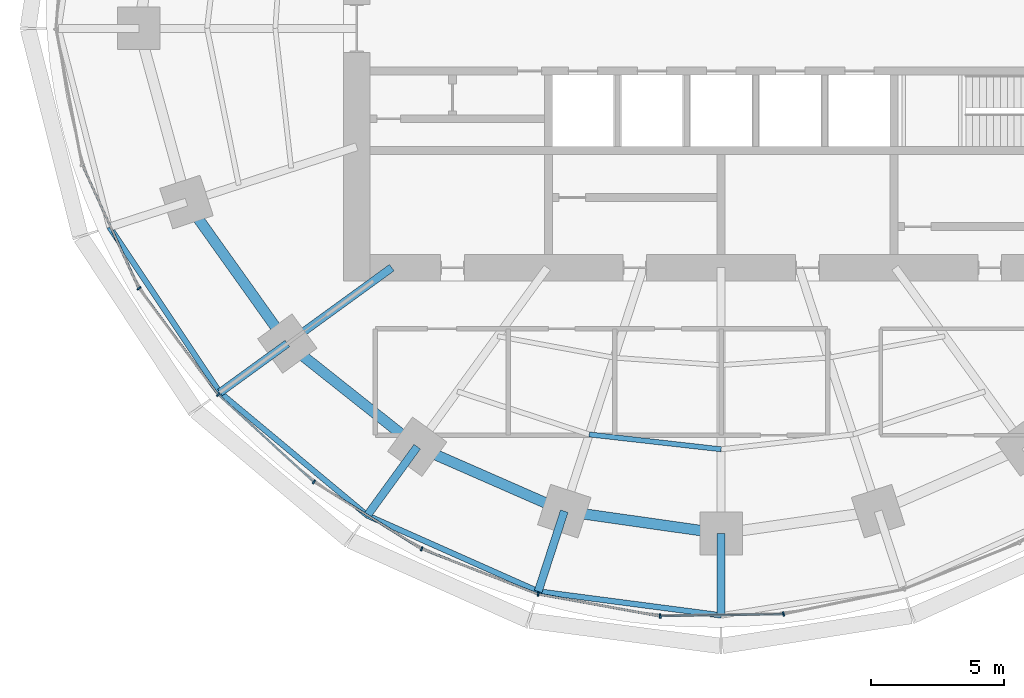
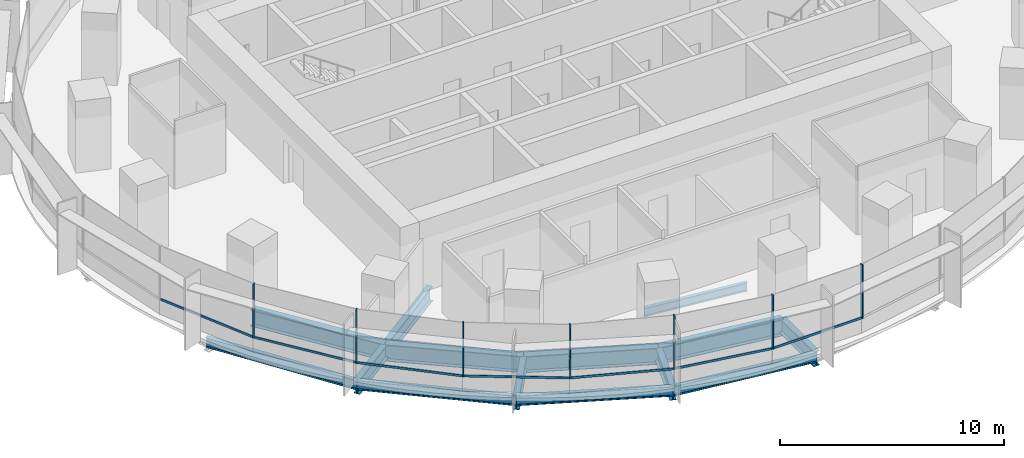
# One storey, part 2 of 14: 14 beams, 14 members, 2 elements without a shape of their own.
"""IFC4 building model written with IfcOpenShell, lengths in metres."""

from ifc_helpers import new_model, si_unit, direction, frame, origin, origin_2d, place, context, subcontext, project, spatial, rectangle, i_section, extrude, material, material_profile, profile_set, type_object, element, aggregate, save


model = new_model("IFC4")

# Units and contexts
model_context = context("Model", 3, precision=1e-05, world=origin(), true_north=direction((0.0, 1.0)))
body_context = subcontext(model_context, "Body", "Model", "MODEL_VIEW")
ifc_project = project(units=[si_unit("LENGTHUNIT", "METRE"), si_unit("AREAUNIT", "SQUARE_METRE"), si_unit("VOLUMEUNIT", "CUBIC_METRE"), si_unit("PLANEANGLEUNIT", "RADIAN"), si_unit("MASSUNIT", "GRAM", prefix="KILO")], contexts=[model_context])

# Site, building, storey
site_placement = place(None, origin())
site = spatial("IfcSite", under=ifc_project, at=site_placement, CompositionType="ELEMENT")
building_placement = place(site_placement, origin())
building = spatial("IfcBuilding", under=site, at=building_placement, Name="Marramba Exchange Tower", CompositionType="ELEMENT")
storey_placement = place(building_placement, frame((0.0, 0.0, 139.199951171875)))
storey = spatial("IfcBuildingStorey", under=building, at=storey_placement, Name="L33", CompositionType="ELEMENT", Elevation=139.199951171875)

# Beams
ifc_material_1 = material(Name="Steel AS/NZS 3679.2 grade 300", Category="steel")
ifc_material_profile_1 = material_profile(ifc_material_1, i_section(OverallWidth=0.300048828125, OverallDepth=0.800048828125, WebThickness=0.013916015625, FlangeThickness=0.031982421875, at=origin_2d()), Name="800WB192")
ifc_profile_set_1 = profile_set([ifc_material_profile_1], Name="Steel AS/NZS 3679.2 grade 300")
beam_type_1 = type_object("IfcBeamType", Name="Cantilever girder 800WB192", PredefinedType="BEAM", material=ifc_profile_set_1)
beam_1_placement = place(storey_placement, frame((-16.3154296875, -11.853759765625, -0.56005859375), z_axis=(-0.809025813822, -0.587773113173, 0.0), x_axis=(0.587773113173, -0.809025813822, 0.0)))
element("IfcBeam", 1, at=beam_1_placement, inside=storey, type_object=beam_type_1, Name="Cantilever girder L33 TC13", PredefinedType="BEAM", context=body_context, shape_type="SweptSolid", body=[
    extrude(i_section(OverallWidth=0.300048828125, OverallDepth=0.800048828125, WebThickness=0.013916015625, FlangeThickness=0.031982421875, at=origin_2d()), origin(), (0.0, 0.0, 1.0), 3.132568359375),
])
beam_2_placement = place(storey_placement, frame((-11.430419921875, -15.732666015625, -0.56005859375), z_axis=(-0.587767308424, -0.809030031054, 0.0), x_axis=(0.809030031054, -0.587767308424, 0.0)))
element("IfcBeam", 2, at=beam_2_placement, inside=storey, type_object=beam_type_1, Name="Cantilever girder L33 TC14", PredefinedType="BEAM", context=body_context, shape_type="SweptSolid", body=[
    extrude(i_section(OverallWidth=0.300048828125, OverallDepth=0.800048828125, WebThickness=0.013916015625, FlangeThickness=0.031982421875, at=origin_2d()), origin(), (0.0, 0.0, 1.0), 3.195556640625),
])
beam_3_placement = place(storey_placement, frame((-5.899658203125, -18.156982421875, -0.56005859375), z_axis=(-0.309018232614, -0.951056113966, 0.0), x_axis=(0.951056113966, -0.309018232614, 0.0)))
element("IfcBeam", 3, at=beam_3_placement, inside=storey, type_object=beam_type_1, Name="Cantilever girder L33 TC15", PredefinedType="BEAM", context=body_context, shape_type="SweptSolid", body=[
    extrude(i_section(OverallWidth=0.300048828125, OverallDepth=0.800048828125, WebThickness=0.013916015625, FlangeThickness=0.031982421875, at=origin_2d()), origin(), (0.0, 0.0, 1.0), 3.173583984375),
])
beam_4_placement = place(storey_placement, frame((0.0, -18.99609375, -0.56005859375), z_axis=(0.0, -1.0, 0.0), x_axis=(1.0, 0.0, 0.0)))
element("IfcBeam", 4, at=beam_4_placement, inside=storey, type_object=beam_type_1, Name="Cantilever girder L33 TC16", PredefinedType="BEAM", context=body_context, shape_type="SweptSolid", body=[
    extrude(i_section(OverallWidth=0.300048828125, OverallDepth=0.800048828125, WebThickness=0.013916015625, FlangeThickness=0.031982421875, at=origin_2d()), origin(), (0.0, 0.0, 1.0), 3.080810546875),
])
ifc_material_2 = material(Name="Steel AS/NZS 3679.1 grade 300", Category="steel")
ifc_material_profile_2 = material_profile(ifc_material_2, i_section(OverallWidth=0.18994140625, OverallDepth=0.4541015625, WebThickness=0.008544921875, FlangeThickness=0.0126953125, FilletRadius=0.011474609375, at=origin_2d()), Name="460UB67.1")
ifc_profile_set_2 = profile_set([ifc_material_profile_2], Name="Steel AS/NZS 3679.1 grade 300")
beam_type_2 = type_object("IfcBeamType", Name="Floor joist 460UB67.1", PredefinedType="JOIST", material=ifc_profile_set_2)
beam_5_placement = place(storey_placement, frame((-4.9619140625, -15.271484375, -0.386962890625), z_axis=(0.993712018573, -0.111966174106, 0.0), x_axis=(0.111966174106, 0.993712018573, 0.0)))
element("IfcBeam", 5, at=beam_5_placement, inside=storey, type_object=beam_type_2, Name="Joist L33 bay 15 row 2", PredefinedType="JOIST", context=body_context, shape_type="SweptSolid", body=[
    extrude(i_section(OverallWidth=0.18994140625, OverallDepth=0.4541015625, WebThickness=0.008544921875, FlangeThickness=0.0126953125, FilletRadius=0.011474609375, at=origin_2d()), origin(), (0.0, 0.0, 1.0), 4.993408203125),
])

# Curtain wall, members
ifc_material_3 = material(Name="Aluminium framing, bronze anodised", Category="aluminium")
curtain_wall_type = type_object("IfcCurtainWallType", Name="Office ribbon curtain wall", PredefinedType="USERDEFINED", material=ifc_material_3)
curtain_wall_1_placement = place(storey_placement, origin())
curtain_wall_1 = element("IfcCurtainWall", 6, at=curtain_wall_1_placement, inside=storey, type_object=curtain_wall_type, Name="Curtain wall CW4 L33 F16-F20", ObjectType="RIBBON CURTAIN WALL", PredefinedType="USERDEFINED")
ifc_material_4 = material(Name="Aluminium mullion, bronze anodised", Category="aluminium")
ifc_material_profile_3 = material_profile(ifc_material_4, rectangle(XDim=0.159912109375, YDim=0.06005859375, at=origin_2d()), Name="CW4 mullion 60x160")
ifc_profile_set_3 = profile_set([ifc_material_profile_3], Name="Aluminium mullion, bronze anodised")
member_type_1 = type_object("IfcMemberType", Name="Office ribbon curtain wall mullion", PredefinedType="MULLION", material=ifc_profile_set_3)
member_1_placement = place(storey_placement, frame((-21.891357421875, -9.778564453125, 0.800048828125), z_axis=(0.0, 0.0, 1.0), x_axis=(0.802014400683, 0.597304697033, 0.0)))
member_1 = element("IfcMember", 7, at=member_1_placement, type_object=member_type_1, Name="CW4 mullion 1", PredefinedType="MULLION", context=body_context, shape_type="SweptSolid", body=[
    extrude(rectangle(XDim=0.159912109375, YDim=0.06005859375, at=origin_2d()), origin(), (0.0, 0.0, 1.0), 2.93994140625),
])
member_2_placement = place(storey_placement, frame((-18.90869140625, -13.774169921875, 0.800048828125), z_axis=(0.0, 0.0, 1.0), x_axis=(0.674995455115, 0.737821886077, 0.0)))
member_2 = element("IfcMember", 8, at=member_2_placement, type_object=member_type_1, Name="CW4 mullion 1", PredefinedType="MULLION", context=body_context, shape_type="SweptSolid", body=[
    extrude(rectangle(XDim=0.159912109375, YDim=0.06005859375, at=origin_2d()), origin(), (0.0, 0.0, 1.0), 2.93994140625),
])
member_3_placement = place(storey_placement, frame((-15.315673828125, -17.053955078125, 0.800048828125), z_axis=(0.0, 0.0, 1.0), x_axis=(0.52942844364, 0.84835459748, 0.0)))
member_3 = element("IfcMember", 9, at=member_3_placement, type_object=member_type_1, Name="CW4 mullion 1", PredefinedType="MULLION", context=body_context, shape_type="SweptSolid", body=[
    extrude(rectangle(XDim=0.159912109375, YDim=0.06005859375, at=origin_2d()), origin(), (0.0, 0.0, 1.0), 2.93994140625),
])

curtain_wall_2_placement = place(storey_placement, origin())
curtain_wall_2 = element("IfcCurtainWall", 10, at=curtain_wall_2_placement, inside=storey, type_object=curtain_wall_type, Name="Curtain wall CW4 L33 F21-F25", ObjectType="RIBBON CURTAIN WALL", PredefinedType="USERDEFINED")
member_4_placement = place(storey_placement, frame((-11.266845703125, -19.573974609375, 0.800048828125), z_axis=(0.0, 0.0, 1.0), x_axis=(0.36292490603, 0.931818390344, 0.0)))
member_4 = element("IfcMember", 11, at=member_4_placement, type_object=member_type_1, Name="CW4 mullion 1", PredefinedType="MULLION", context=body_context, shape_type="SweptSolid", body=[
    extrude(rectangle(XDim=0.159912109375, YDim=0.06005859375, at=origin_2d()), origin(), (0.0, 0.0, 1.0), 2.93994140625),
])
member_5_placement = place(storey_placement, frame((-6.881591796875, -21.27587890625, 0.800048828125), z_axis=(0.0, 0.0, 1.0), x_axis=(0.177992379115, 0.984031865834, 0.0)))
member_5 = element("IfcMember", 12, at=member_5_placement, type_object=member_type_1, Name="CW4 mullion 1", PredefinedType="MULLION", context=body_context, shape_type="SweptSolid", body=[
    extrude(rectangle(XDim=0.159912109375, YDim=0.06005859375, at=origin_2d()), origin(), (0.0, 0.0, 1.0), 2.93994140625),
])
member_6_placement = place(storey_placement, frame((-2.292724609375, -22.099853515625, 0.800048828125), z_axis=(0.0, 0.0, 1.0), x_axis=(-0.015178646521, 0.999884797709, 0.0)))
member_6 = element("IfcMember", 13, at=member_6_placement, type_object=member_type_1, Name="CW4 mullion 1", PredefinedType="MULLION", context=body_context, shape_type="SweptSolid", body=[
    extrude(rectangle(XDim=0.159912109375, YDim=0.06005859375, at=origin_2d()), origin(), (0.0, 0.0, 1.0), 2.93994140625),
])
member_7_placement = place(storey_placement, frame((2.3447265625, -22.02392578125, 0.800048828125), z_axis=(0.0, 0.0, 1.0), x_axis=(-0.202364850159, 0.979310199794, 0.0)))
member_7 = element("IfcMember", 14, at=member_7_placement, type_object=member_type_1, Name="CW4 mullion 1", PredefinedType="MULLION", context=body_context, shape_type="SweptSolid", body=[
    extrude(rectangle(XDim=0.159912109375, YDim=0.06005859375, at=origin_2d()), origin(), (0.0, 0.0, 1.0), 2.93994140625),
])

# Member
ifc_material_5 = material(Name="Aluminium transom, bronze anodised", Category="aluminium")
ifc_material_profile_4 = material_profile(ifc_material_5, rectangle(XDim=0.06005859375, YDim=0.1201171875, at=origin_2d()), Name="CW4 transom 60x120")
ifc_profile_set_4 = profile_set([ifc_material_profile_4], Name="Aluminium transom, bronze anodised")
member_type_2 = type_object("IfcMemberType", Name="Office ribbon curtain wall transom", PredefinedType="USERDEFINED", material=ifc_profile_set_4)
member_8_placement = place(storey_placement, frame((-24.013671875, -5.1640625, 0.830078125), z_axis=(0.416732948599, -0.909028959688, 0.0), x_axis=(0.909028959688, 0.416732948599, 0.0)))
member_8 = element("IfcMember", 15, at=member_8_placement, type_object=member_type_2, Name="CW4 sill transom", ObjectType="TRANSOM", PredefinedType="USERDEFINED", context=body_context, shape_type="SweptSolid", body=[
    extrude(rectangle(XDim=0.06005859375, YDim=0.1201171875, at=origin_2d()), origin(), (0.0, 0.0, 1.0), 5.050048828125),
])

member_9_placement = place(storey_placement, frame((-21.873291015625, -9.802734375, 0.830078125), z_axis=(0.597300736643, -0.80201735019, 0.0), x_axis=(0.80201735019, 0.597300736643, 0.0)))
member_9 = element("IfcMember", 16, at=member_9_placement, type_object=member_type_2, Name="CW4 sill transom", ObjectType="TRANSOM", PredefinedType="USERDEFINED", context=body_context, shape_type="SweptSolid", body=[
    extrude(rectangle(XDim=0.06005859375, YDim=0.1201171875, at=origin_2d()), origin(), (0.0, 0.0, 1.0), 4.926513671875),
])

member_10_placement = place(storey_placement, frame((-18.886474609375, -13.79443359375, 0.830078125), z_axis=(0.737807565469, -0.675011108306, 0.0), x_axis=(0.675011108306, 0.737807565469, 0.0)))
member_10 = element("IfcMember", 17, at=member_10_placement, type_object=member_type_2, Name="CW4 sill transom", ObjectType="TRANSOM", PredefinedType="USERDEFINED", context=body_context, shape_type="SweptSolid", body=[
    extrude(rectangle(XDim=0.06005859375, YDim=0.1201171875, at=origin_2d()), origin(), (0.0, 0.0, 1.0), 4.805419921875),
])

member_11_placement = place(storey_placement, frame((-15.2900390625, -17.06982421875, 0.830078125), z_axis=(0.848373790728, -0.529397687193, 0.0), x_axis=(0.529397687193, 0.848373790728, 0.0)))
member_11 = element("IfcMember", 18, at=member_11_placement, type_object=member_type_2, Name="CW4 sill transom", ObjectType="TRANSOM", PredefinedType="USERDEFINED", context=body_context, shape_type="SweptSolid", body=[
    extrude(rectangle(XDim=0.06005859375, YDim=0.1201171875, at=origin_2d()), origin(), (0.0, 0.0, 1.0), 4.70947265625),
])

aggregate(curtain_wall_1, [member_8, member_1, member_9, member_2, member_10, member_3, member_11])

member_12_placement = place(storey_placement, frame((-11.23876953125, -19.5849609375, 0.830078125), z_axis=(0.931817106708, -0.362928201778, 0.0), x_axis=(0.362928201778, 0.931817106708, 0.0)))
member_12 = element("IfcMember", 19, at=member_12_placement, type_object=member_type_2, Name="CW4 sill transom", ObjectType="TRANSOM", PredefinedType="USERDEFINED", context=body_context, shape_type="SweptSolid", body=[
    extrude(rectangle(XDim=0.06005859375, YDim=0.1201171875, at=origin_2d()), origin(), (0.0, 0.0, 1.0), 4.644287109375),
])

member_13_placement = place(storey_placement, frame((-6.85205078125, -21.281005859375, 0.830078125), z_axis=(0.98402906811, -0.178007845654, 0.0), x_axis=(0.178007845654, 0.98402906811, 0.0)))
member_13 = element("IfcMember", 20, at=member_13_placement, type_object=member_type_2, Name="CW4 sill transom", ObjectType="TRANSOM", PredefinedType="USERDEFINED", context=body_context, shape_type="SweptSolid", body=[
    extrude(rectangle(XDim=0.06005859375, YDim=0.1201171875, at=origin_2d()), origin(), (0.0, 0.0, 1.0), 4.602783203125),
])

member_14_placement = place(storey_placement, frame((-2.262939453125, -22.099365234375, 0.830078125), z_axis=(0.999885345665, 0.015142507235, 0.0), x_axis=(-0.015142507235, 0.999885345665, 0.0)))
member_14 = element("IfcMember", 21, at=member_14_placement, type_object=member_type_2, Name="CW4 sill transom", ObjectType="TRANSOM", PredefinedType="USERDEFINED", context=body_context, shape_type="SweptSolid", body=[
    extrude(rectangle(XDim=0.06005859375, YDim=0.1201171875, at=origin_2d()), origin(), (0.0, 0.0, 1.0), 4.578857421875),
])

aggregate(curtain_wall_2, [member_4, member_12, member_5, member_13, member_6, member_14, member_7])

# Beams
ifc_material_profile_5 = material_profile(ifc_material_1, i_section(OverallWidth=0.300048828125, OverallDepth=0.800048828125, WebThickness=0.013916015625, FlangeThickness=0.031982421875, at=origin_2d()), Name="800WB192")
ifc_profile_set_5 = profile_set([ifc_material_profile_5], Name="Steel AS/NZS 3679.2 grade 300")
beam_type_3 = type_object("IfcBeamType", Name="Radial girder 800WB192", PredefinedType="BEAM", material=ifc_profile_set_5)
beam_6_placement = place(storey_placement, frame((-12.387451171875, -9.0, -0.56005859375), z_axis=(-0.809025189606, -0.58777397236, 0.0), x_axis=(0.58777397236, -0.809025189606, 0.0)))
element("IfcBeam", 22, at=beam_6_placement, inside=storey, type_object=beam_type_3, Name="Radial girder L33 TC13", PredefinedType="BEAM", context=body_context, shape_type="SweptSolid", body=[
    extrude(i_section(OverallWidth=0.300048828125, OverallDepth=0.800048828125, WebThickness=0.013916015625, FlangeThickness=0.031982421875, at=origin_2d()), origin(), (0.0, 0.0, 1.0), 4.855224609375),
])
ifc_material_profile_6 = material_profile(ifc_material_1, i_section(OverallWidth=0.39990234375, OverallDepth=0.89990234375, WebThickness=0.01611328125, FlangeThickness=0.031982421875, at=origin_2d()), Name="900WB282")
ifc_profile_set_6 = profile_set([ifc_material_profile_6], Name="Steel AS/NZS 3679.2 grade 300")
beam_type_4 = type_object("IfcBeamType", Name="Ring beam 900WB282", PredefinedType="SPANDREL", material=ifc_profile_set_6)
beam_7_placement = place(storey_placement, frame((-20.109375, -6.533935546875, -0.60986328125), z_axis=(0.580637181111, -0.814162430914, 0.0), x_axis=(0.814162430914, 0.580637181111, 0.0)))
element("IfcBeam", 23, at=beam_7_placement, inside=storey, type_object=beam_type_4, Name="Ring beam L33 TC12-TC13", PredefinedType="SPANDREL", context=body_context, shape_type="SweptSolid", body=[
    extrude(i_section(OverallWidth=0.39990234375, OverallDepth=0.89990234375, WebThickness=0.01611328125, FlangeThickness=0.031982421875, at=origin_2d()), origin(), (0.0, 0.0, 1.0), 6.5341796875),
])
beam_8_placement = place(storey_placement, frame((-16.3154296875, -11.853759765625, -0.60986328125), z_axis=(0.783139438128, -0.621846138887, 0.0), x_axis=(0.621846138887, 0.783139438128, 0.0)))
element("IfcBeam", 24, at=beam_8_placement, inside=storey, type_object=beam_type_4, Name="Ring beam L33 TC13-TC14", PredefinedType="SPANDREL", context=body_context, shape_type="SweptSolid", body=[
    extrude(i_section(OverallWidth=0.39990234375, OverallDepth=0.89990234375, WebThickness=0.01611328125, FlangeThickness=0.031982421875, at=origin_2d()), origin(), (0.0, 0.0, 1.0), 6.23779296875),
])
beam_9_placement = place(storey_placement, frame((-11.430419921875, -15.732666015625, -0.60986328125), z_axis=(0.915876892158, -0.4014592363, 0.0), x_axis=(0.4014592363, 0.915876892158, 0.0)))
element("IfcBeam", 25, at=beam_9_placement, inside=storey, type_object=beam_type_4, Name="Ring beam L33 TC14-TC15", PredefinedType="SPANDREL", context=body_context, shape_type="SweptSolid", body=[
    extrude(i_section(OverallWidth=0.39990234375, OverallDepth=0.89990234375, WebThickness=0.01611328125, FlangeThickness=0.031982421875, at=origin_2d()), origin(), (0.0, 0.0, 1.0), 6.038818359375),
])
beam_10_placement = place(storey_placement, frame((-5.899658203125, -18.156982421875, -0.60986328125), z_axis=(0.990036163016, -0.140813337152, 0.0), x_axis=(0.140813337152, 0.990036163016, 0.0)))
element("IfcBeam", 26, at=beam_10_placement, inside=storey, type_object=beam_type_4, Name="Ring beam L33 TC15-TC16", PredefinedType="SPANDREL", context=body_context, shape_type="SweptSolid", body=[
    extrude(i_section(OverallWidth=0.39990234375, OverallDepth=0.89990234375, WebThickness=0.01611328125, FlangeThickness=0.031982421875, at=origin_2d()), origin(), (0.0, 0.0, 1.0), 5.958984375),
])
ifc_material_profile_7 = material_profile(ifc_material_2, i_section(OverallWidth=0.208984375, OverallDepth=0.528076171875, WebThickness=0.009521484375, FlangeThickness=0.01318359375, FilletRadius=0.013916015625, at=origin_2d()), Name="530UB82.0")
ifc_profile_set_7 = profile_set([ifc_material_profile_7], Name="Steel AS/NZS 3679.1 grade 300")
beam_type_5 = type_object("IfcBeamType", Name="Slab edge beam 530UB82.0", PredefinedType="SPANDREL", material=ifc_profile_set_7)
beam_11_placement = place(storey_placement, frame((-23.00341796875, -7.47412109375, -0.424072265625), z_axis=(0.555280023791, -0.831663450669, 0.0), x_axis=(0.831663450669, 0.555280023791, 0.0)))
element("IfcBeam", 27, at=beam_11_placement, inside=storey, type_object=beam_type_5, Name="Slab edge beam L33 TC12-TC13", PredefinedType="SPANDREL", context=body_context, shape_type="SweptSolid", body=[
    extrude(i_section(OverallWidth=0.208984375, OverallDepth=0.528076171875, WebThickness=0.009521484375, FlangeThickness=0.01318359375, FilletRadius=0.013916015625, at=origin_2d()), origin(), (0.0, 0.0, 1.0), 7.480224609375),
])
beam_12_placement = place(storey_placement, frame((-18.849853515625, -13.695068359375, -0.424072265625), z_axis=(0.767874532322, -0.640600267415, 0.0), x_axis=(0.640600267415, 0.767874532322, 0.0)))
element("IfcBeam", 28, at=beam_12_placement, inside=storey, type_object=beam_type_5, Name="Slab edge beam L33 TC13-TC14", PredefinedType="SPANDREL", context=body_context, shape_type="SweptSolid", body=[
    extrude(i_section(OverallWidth=0.208984375, OverallDepth=0.528076171875, WebThickness=0.009521484375, FlangeThickness=0.01318359375, FilletRadius=0.013916015625, at=origin_2d()), origin(), (0.0, 0.0, 1.0), 7.21630859375),
])
beam_13_placement = place(storey_placement, frame((-13.30859375, -18.31787109375, -0.424072265625), z_axis=(0.913788648873, -0.406189986571, 0.0), x_axis=(0.406189986571, 0.913788648873, 0.0)))
element("IfcBeam", 29, at=beam_13_placement, inside=storey, type_object=beam_type_5, Name="Slab edge beam L33 TC14-TC15", PredefinedType="SPANDREL", context=body_context, shape_type="SweptSolid", body=[
    extrude(i_section(OverallWidth=0.208984375, OverallDepth=0.528076171875, WebThickness=0.009521484375, FlangeThickness=0.01318359375, FilletRadius=0.013916015625, at=origin_2d()), origin(), (0.0, 0.0, 1.0), 7.03466796875),
])
beam_14_placement = place(storey_placement, frame((-6.88037109375, -21.17529296875, -0.424072265625), z_axis=(0.991523133546, -0.129930272237, 0.0), x_axis=(0.129930272237, 0.991523133546, 0.0)))
element("IfcBeam", 30, at=beam_14_placement, inside=storey, type_object=beam_type_5, Name="Slab edge beam L33 TC15-TC16", PredefinedType="SPANDREL", context=body_context, shape_type="SweptSolid", body=[
    extrude(i_section(OverallWidth=0.208984375, OverallDepth=0.528076171875, WebThickness=0.009521484375, FlangeThickness=0.01318359375, FilletRadius=0.013916015625, at=origin_2d()), origin(), (0.0, 0.0, 1.0), 6.939208984375),
])

save(model, "model.ifc")
